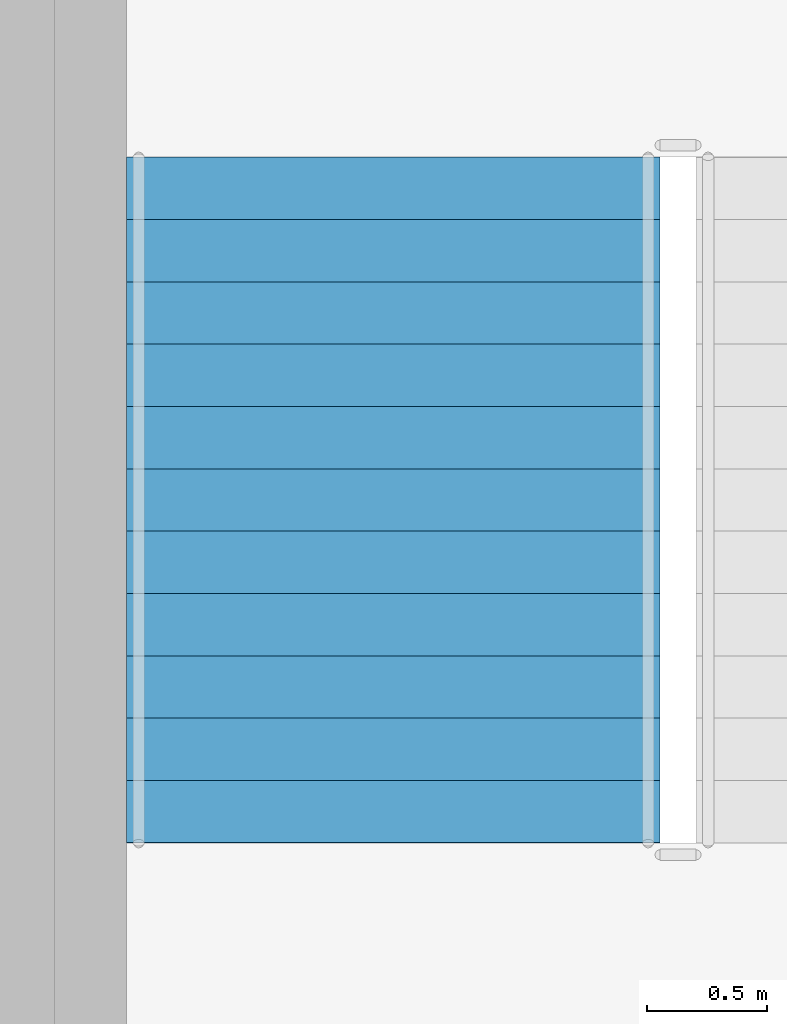
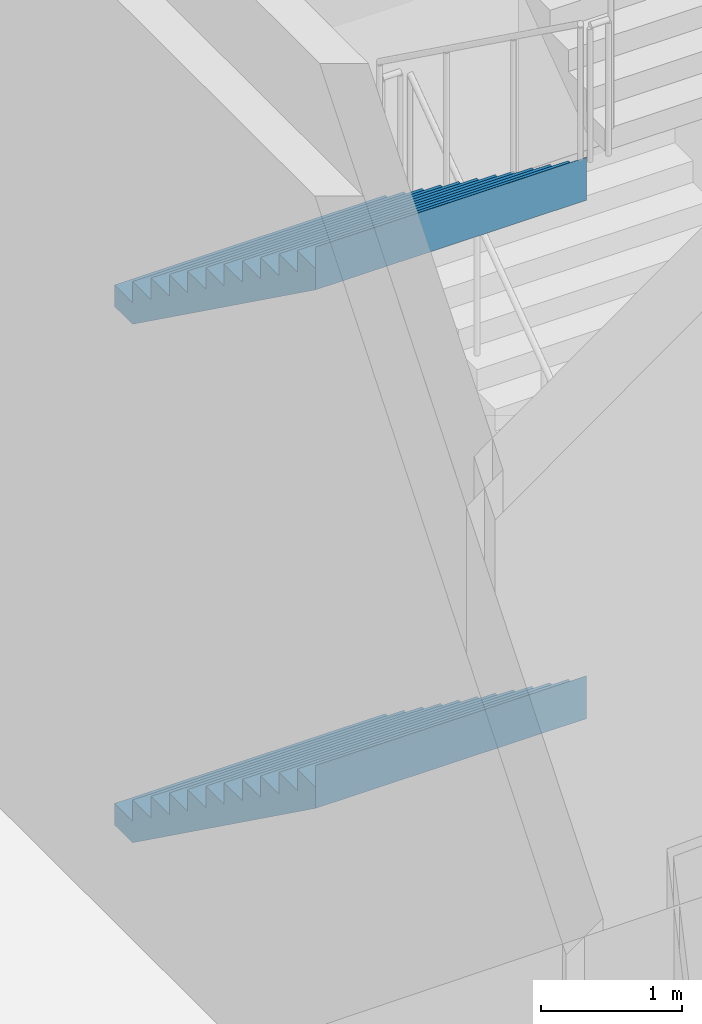
# One storey, part 15 of 35: 2 stair flights, 1 element without a shape of its own.
"""IFC4 building model written with IfcOpenShell, lengths in metres."""

from ifc_helpers import new_model, si_unit, direction, frame, origin, place, context, subcontext, project, spatial, triangles, material, type_object, element, aggregate, save


model = new_model("IFC4")

# Units and contexts
model_context = context("Model", 3, precision=1e-05, world=origin(), true_north=direction((0.0, 1.0)))
body_context = subcontext(model_context, "Body", "Model", "MODEL_VIEW")
ifc_project = project(units=[si_unit("LENGTHUNIT", "METRE"), si_unit("AREAUNIT", "SQUARE_METRE"), si_unit("VOLUMEUNIT", "CUBIC_METRE"), si_unit("PLANEANGLEUNIT", "RADIAN"), si_unit("MASSUNIT", "GRAM", prefix="KILO")], contexts=[model_context])

# Site, building, storey
site_placement = place(None, origin())
site = spatial("IfcSite", under=ifc_project, at=site_placement, CompositionType="ELEMENT")
building_placement = place(site_placement, origin())
building = spatial("IfcBuilding", under=site, at=building_placement, Name="Sahrelin Media Tower", CompositionType="ELEMENT")
storey_placement = place(building_placement, frame((0.0, 0.0, 17.0)))
storey = spatial("IfcBuildingStorey", under=building, at=storey_placement, Name="L02", CompositionType="ELEMENT", Elevation=17.0)

# Stair, stair flights
ifc_material = material(Name="Concrete C40/50", Category="concrete")
stair_type = type_object("IfcStairType", Name="Podium stair 2225", PredefinedType="HALF_TURN_STAIR", material=ifc_material)
stair_placement = place(storey_placement, origin())
stair = element("IfcStair", 1, at=stair_placement, inside=storey, type_object=stair_type, Name="L02 Podium stair PS3", PredefinedType="HALF_TURN_STAIR")
stair_flight_type = type_object("IfcStairFlightType", Name="Stair flight 2225", PredefinedType="STRAIGHT", material=ifc_material)
stair_flight_1_placement = place(storey_placement, frame((-11.83740234375, -30.625, 0.0), z_axis=(0.0, 0.0, 1.0), x_axis=(0.0, -1.0, 0.0)))
stair_flight_1 = element("IfcStairFlight", 2, at=stair_flight_1_placement, type_object=stair_flight_type, Name="PS3 flight 1", NumberOfRisers=12, NumberOfTreads=11, PredefinedType="STRAIGHT", RiserHeight=0.1875, TreadLength=0.26, context=body_context, shape_type="Tessellation", body=[
    triangles([(0.25634765625, 1.112548828125, 0.0), (0.25634765625, 0.794677734375, 0.0), (0.25634765625, 0.476806640625, 0.0), (0.25634765625, 0.158935546875, 0.0), (0.25634765625, -0.158935546875, 0.0), (0.25634765625, -0.476806640625, 0.0), (0.25634765625, -0.794677734375, 0.0), (0.25634765625, -1.112548828125, 0.0), (2.860107421875, 1.112548828125, 1.877685546875), (2.860107421875, 0.794677734375, 1.877685546875), (2.860107421875, 0.476806640625, 1.877685546875), (2.860107421875, 0.158935546875, 1.877685546875), (2.860107421875, -0.158935546875, 1.877685546875), (2.860107421875, -0.476806640625, 1.877685546875), (2.860107421875, -0.794677734375, 1.877685546875), (2.860107421875, -1.112548828125, 1.877685546875), (2.860107421875, 1.112548828125, 2.25), (2.860107421875, 0.794677734375, 2.25), (2.860107421875, 0.476806640625, 2.25), (2.860107421875, 0.158935546875, 2.25), (2.860107421875, -0.158935546875, 2.25), (2.860107421875, -0.476806640625, 2.25), (2.860107421875, -0.794677734375, 2.25), (2.860107421875, -1.112548828125, 2.25), (2.85791015625, 1.112548828125, 2.25), (2.85791015625, 0.794677734375, 2.25), (2.85791015625, 0.476806640625, 2.25), (2.85791015625, 0.158935546875, 2.25), (2.85791015625, -0.158935546875, 2.25), (2.85791015625, -0.476806640625, 2.25), (2.85791015625, -0.794677734375, 2.25), (2.85791015625, -1.112548828125, 2.25), (2.85791015625, 1.112548828125, 2.0625), (2.85791015625, 0.794677734375, 2.0625), (2.85791015625, 0.476806640625, 2.0625), (2.85791015625, 0.158935546875, 2.0625), (2.85791015625, -0.158935546875, 2.0625), (2.85791015625, -0.476806640625, 2.0625), (2.85791015625, -0.794677734375, 2.0625), (2.85791015625, -1.112548828125, 2.0625), (2.60009765625, 1.112548828125, 2.0625), (2.60009765625, 0.794677734375, 2.0625), (2.60009765625, 0.476806640625, 2.0625), (2.60009765625, 0.158935546875, 2.0625), (2.60009765625, -0.158935546875, 2.0625), (2.60009765625, -0.476806640625, 2.0625), (2.60009765625, -0.794677734375, 2.0625), (2.60009765625, -1.112548828125, 2.0625), (2.60009765625, 1.112548828125, 1.875), (2.60009765625, 0.794677734375, 1.875), (2.60009765625, 0.476806640625, 1.875), (2.60009765625, 0.158935546875, 1.875), (2.60009765625, -0.158935546875, 1.875), (2.60009765625, -0.476806640625, 1.875), (2.60009765625, -0.794677734375, 1.875), (2.60009765625, -1.112548828125, 1.875), (2.340087890625, 1.112548828125, 1.875), (2.340087890625, 0.794677734375, 1.875), (2.340087890625, 0.476806640625, 1.875), (2.340087890625, 0.158935546875, 1.875), (2.340087890625, -0.158935546875, 1.875), (2.340087890625, -0.476806640625, 1.875), (2.340087890625, -0.794677734375, 1.875), (2.340087890625, -1.112548828125, 1.875), (2.340087890625, 1.112548828125, 1.6875), (2.340087890625, 0.794677734375, 1.6875), (2.340087890625, 0.476806640625, 1.6875), (2.340087890625, 0.158935546875, 1.6875), (2.340087890625, -0.158935546875, 1.6875), (2.340087890625, -0.476806640625, 1.6875), (2.340087890625, -0.794677734375, 1.6875), (2.340087890625, -1.112548828125, 1.6875), (2.080078125, 1.112548828125, 1.6875), (2.080078125, 0.794677734375, 1.6875), (2.080078125, 0.476806640625, 1.6875), (2.080078125, 0.158935546875, 1.6875), (2.080078125, -0.158935546875, 1.6875), (2.080078125, -0.476806640625, 1.6875), (2.080078125, -0.794677734375, 1.6875), (2.080078125, -1.112548828125, 1.6875), (2.080078125, 1.112548828125, 1.5), (2.080078125, 0.794677734375, 1.5), (2.080078125, 0.476806640625, 1.5), (2.080078125, 0.158935546875, 1.5), (2.080078125, -0.158935546875, 1.5), (2.080078125, -0.476806640625, 1.5), (2.080078125, -0.794677734375, 1.5), (2.080078125, -1.112548828125, 1.5), (1.820068359375, 1.112548828125, 1.5), (1.820068359375, 0.794677734375, 1.5), (1.820068359375, 0.476806640625, 1.5), (1.820068359375, 0.158935546875, 1.5), (1.820068359375, -0.158935546875, 1.5), (1.820068359375, -0.476806640625, 1.5), (1.820068359375, -0.794677734375, 1.5), (1.820068359375, -1.112548828125, 1.5), (1.820068359375, 1.112548828125, 1.3125), (1.820068359375, 0.794677734375, 1.3125), (1.820068359375, 0.476806640625, 1.3125), (1.820068359375, 0.158935546875, 1.3125), (1.820068359375, -0.158935546875, 1.3125), (1.820068359375, -0.476806640625, 1.3125), (1.820068359375, -0.794677734375, 1.3125), (1.820068359375, -1.112548828125, 1.3125), (1.56005859375, 1.112548828125, 1.3125), (1.56005859375, 0.794677734375, 1.3125), (1.56005859375, 0.476806640625, 1.3125), (1.56005859375, 0.158935546875, 1.3125), (1.56005859375, -0.158935546875, 1.3125), (1.56005859375, -0.476806640625, 1.3125), (1.56005859375, -0.794677734375, 1.3125), (1.56005859375, -1.112548828125, 1.3125), (1.56005859375, 1.112548828125, 1.125), (1.56005859375, 0.794677734375, 1.125), (1.56005859375, 0.476806640625, 1.125), (1.56005859375, 0.158935546875, 1.125), (1.56005859375, -0.158935546875, 1.125), (1.56005859375, -0.476806640625, 1.125), (1.56005859375, -0.794677734375, 1.125), (1.56005859375, -1.112548828125, 1.125), (1.300048828125, 1.112548828125, 1.125), (1.300048828125, 0.794677734375, 1.125), (1.300048828125, 0.476806640625, 1.125), (1.300048828125, 0.158935546875, 1.125), (1.300048828125, -0.158935546875, 1.125), (1.300048828125, -0.476806640625, 1.125), (1.300048828125, -0.794677734375, 1.125), (1.300048828125, -1.112548828125, 1.125), (1.300048828125, 1.112548828125, 0.9375), (1.300048828125, 0.794677734375, 0.9375), (1.300048828125, 0.476806640625, 0.9375), (1.300048828125, 0.158935546875, 0.9375), (1.300048828125, -0.158935546875, 0.9375), (1.300048828125, -0.476806640625, 0.9375), (1.300048828125, -0.794677734375, 0.9375), (1.300048828125, -1.112548828125, 0.9375), (1.0400390625, 1.112548828125, 0.9375), (1.0400390625, 0.794677734375, 0.9375), (1.0400390625, 0.476806640625, 0.9375), (1.0400390625, 0.158935546875, 0.9375), (1.0400390625, -0.158935546875, 0.9375), (1.0400390625, -0.476806640625, 0.9375), (1.0400390625, -0.794677734375, 0.9375), (1.0400390625, -1.112548828125, 0.9375), (1.0400390625, 1.112548828125, 0.75), (1.0400390625, 0.794677734375, 0.75), (1.0400390625, 0.476806640625, 0.75), (1.0400390625, 0.158935546875, 0.75), (1.0400390625, -0.158935546875, 0.75), (1.0400390625, -0.476806640625, 0.75), (1.0400390625, -0.794677734375, 0.75), (1.0400390625, -1.112548828125, 0.75), (0.780029296875, 1.112548828125, 0.75), (0.780029296875, 0.794677734375, 0.75), (0.780029296875, 0.476806640625, 0.75), (0.780029296875, 0.158935546875, 0.75), (0.780029296875, -0.158935546875, 0.75), (0.780029296875, -0.476806640625, 0.75), (0.780029296875, -0.794677734375, 0.75), (0.780029296875, -1.112548828125, 0.75), (0.780029296875, 1.112548828125, 0.5625), (0.780029296875, 0.794677734375, 0.5625), (0.780029296875, 0.476806640625, 0.5625), (0.780029296875, 0.158935546875, 0.5625), (0.780029296875, -0.158935546875, 0.5625), (0.780029296875, -0.476806640625, 0.5625), (0.780029296875, -0.794677734375, 0.5625), (0.780029296875, -1.112548828125, 0.5625), (0.52001953125, 1.112548828125, 0.5625), (0.52001953125, 0.794677734375, 0.5625), (0.52001953125, 0.476806640625, 0.5625), (0.52001953125, 0.158935546875, 0.5625), (0.52001953125, -0.158935546875, 0.5625), (0.52001953125, -0.476806640625, 0.5625), (0.52001953125, -0.794677734375, 0.5625), (0.52001953125, -1.112548828125, 0.5625), (0.52001953125, 1.112548828125, 0.375), (0.52001953125, 0.794677734375, 0.375), (0.52001953125, 0.476806640625, 0.375), (0.52001953125, 0.158935546875, 0.375), (0.52001953125, -0.158935546875, 0.375), (0.52001953125, -0.476806640625, 0.375), (0.52001953125, -0.794677734375, 0.375), (0.52001953125, -1.112548828125, 0.375), (0.260009765625, 1.112548828125, 0.375), (0.260009765625, 0.794677734375, 0.375), (0.260009765625, 0.476806640625, 0.375), (0.260009765625, 0.158935546875, 0.375), (0.260009765625, -0.158935546875, 0.375), (0.260009765625, -0.476806640625, 0.375), (0.260009765625, -0.794677734375, 0.375), (0.260009765625, -1.112548828125, 0.375), (0.260009765625, 1.112548828125, 0.1875), (0.260009765625, 0.794677734375, 0.1875), (0.260009765625, 0.476806640625, 0.1875), (0.260009765625, 0.158935546875, 0.1875), (0.260009765625, -0.158935546875, 0.1875), (0.260009765625, -0.476806640625, 0.1875), (0.260009765625, -0.794677734375, 0.1875), (0.260009765625, -1.112548828125, 0.1875), (0.0, 1.112548828125, 0.1875), (0.0, 0.794677734375, 0.1875), (0.0, 0.476806640625, 0.1875), (0.0, 0.158935546875, 0.1875), (0.0, -0.158935546875, 0.1875), (0.0, -0.476806640625, 0.1875), (0.0, -0.794677734375, 0.1875), (0.0, -1.112548828125, 0.1875), (0.0, 1.112548828125, 0.0), (0.0, 0.794677734375, 0.0), (0.0, 0.476806640625, 0.0), (0.0, 0.158935546875, 0.0), (0.0, -0.158935546875, 0.0), (0.0, -0.476806640625, 0.0), (0.0, -0.794677734375, 0.0), (0.0, -1.112548828125, 0.0)], [[1, 9, 10], [1, 10, 2], [2, 10, 11], [2, 11, 3], [3, 11, 12], [3, 12, 4], [4, 12, 13], [4, 13, 5], [5, 13, 14], [5, 14, 6], [6, 14, 15], [6, 15, 7], [7, 15, 16], [7, 16, 8], [9, 17, 18], [9, 18, 10], [10, 18, 19], [10, 19, 11], [11, 19, 20], [11, 20, 12], [12, 20, 21], [12, 21, 13], [13, 21, 22], [13, 22, 14], [14, 22, 23], [14, 23, 15], [15, 23, 24], [15, 24, 16], [17, 25, 26], [17, 26, 18], [18, 26, 27], [18, 27, 19], [19, 27, 28], [19, 28, 20], [20, 28, 29], [20, 29, 21], [21, 29, 30], [21, 30, 22], [22, 30, 31], [22, 31, 23], [23, 31, 32], [23, 32, 24], [25, 33, 34], [25, 34, 26], [26, 34, 35], [26, 35, 27], [27, 35, 36], [27, 36, 28], [28, 36, 37], [28, 37, 29], [29, 37, 38], [29, 38, 30], [30, 38, 39], [30, 39, 31], [31, 39, 40], [31, 40, 32], [33, 41, 42], [33, 42, 34], [34, 42, 43], [34, 43, 35], [35, 43, 44], [35, 44, 36], [36, 44, 45], [36, 45, 37], [37, 45, 46], [37, 46, 38], [38, 46, 47], [38, 47, 39], [39, 47, 48], [39, 48, 40], [41, 49, 50], [41, 50, 42], [42, 50, 51], [42, 51, 43], [43, 51, 52], [43, 52, 44], [44, 52, 53], [44, 53, 45], [45, 53, 54], [45, 54, 46], [46, 54, 55], [46, 55, 47], [47, 55, 56], [47, 56, 48], [49, 57, 58], [49, 58, 50], [50, 58, 59], [50, 59, 51], [51, 59, 60], [51, 60, 52], [52, 60, 61], [52, 61, 53], [53, 61, 62], [53, 62, 54], [54, 62, 63], [54, 63, 55], [55, 63, 64], [55, 64, 56], [57, 65, 66], [57, 66, 58], [58, 66, 67], [58, 67, 59], [59, 67, 68], [59, 68, 60], [60, 68, 69], [60, 69, 61], [61, 69, 70], [61, 70, 62], [62, 70, 71], [62, 71, 63], [63, 71, 72], [63, 72, 64], [65, 73, 74], [65, 74, 66], [66, 74, 75], [66, 75, 67], [67, 75, 76], [67, 76, 68], [68, 76, 77], [68, 77, 69], [69, 77, 78], [69, 78, 70], [70, 78, 79], [70, 79, 71], [71, 79, 80], [71, 80, 72], [73, 81, 82], [73, 82, 74], [74, 82, 83], [74, 83, 75], [75, 83, 84], [75, 84, 76], [76, 84, 85], [76, 85, 77], [77, 85, 86], [77, 86, 78], [78, 86, 87], [78, 87, 79], [79, 87, 88], [79, 88, 80], [81, 89, 90], [81, 90, 82], [82, 90, 91], [82, 91, 83], [83, 91, 92], [83, 92, 84], [84, 92, 93], [84, 93, 85], [85, 93, 94], [85, 94, 86], [86, 94, 95], [86, 95, 87], [87, 95, 96], [87, 96, 88], [89, 97, 98], [89, 98, 90], [90, 98, 99], [90, 99, 91], [91, 99, 100], [91, 100, 92], [92, 100, 101], [92, 101, 93], [93, 101, 102], [93, 102, 94], [94, 102, 103], [94, 103, 95], [95, 103, 104], [95, 104, 96], [97, 105, 106], [97, 106, 98], [98, 106, 107], [98, 107, 99], [99, 107, 108], [99, 108, 100], [100, 108, 109], [100, 109, 101], [101, 109, 110], [101, 110, 102], [102, 110, 111], [102, 111, 103], [103, 111, 112], [103, 112, 104], [105, 113, 114], [105, 114, 106], [106, 114, 115], [106, 115, 107], [107, 115, 116], [107, 116, 108], [108, 116, 117], [108, 117, 109], [109, 117, 118], [109, 118, 110], [110, 118, 119], [110, 119, 111], [111, 119, 120], [111, 120, 112], [113, 121, 122], [113, 122, 114], [114, 122, 123], [114, 123, 115], [115, 123, 124], [115, 124, 116], [116, 124, 125], [116, 125, 117], [117, 125, 126], [117, 126, 118], [118, 126, 127], [118, 127, 119], [119, 127, 128], [119, 128, 120], [121, 129, 130], [121, 130, 122], [122, 130, 131], [122, 131, 123], [123, 131, 132], [123, 132, 124], [124, 132, 133], [124, 133, 125], [125, 133, 134], [125, 134, 126], [126, 134, 135], [126, 135, 127], [127, 135, 136], [127, 136, 128], [129, 137, 138], [129, 138, 130], [130, 138, 139], [130, 139, 131], [131, 139, 140], [131, 140, 132], [132, 140, 141], [132, 141, 133], [133, 141, 142], [133, 142, 134], [134, 142, 143], [134, 143, 135], [135, 143, 144], [135, 144, 136], [137, 145, 146], [137, 146, 138], [138, 146, 147], [138, 147, 139], [139, 147, 148], [139, 148, 140], [140, 148, 149], [140, 149, 141], [141, 149, 150], [141, 150, 142], [142, 150, 151], [142, 151, 143], [143, 151, 152], [143, 152, 144], [145, 153, 154], [145, 154, 146], [146, 154, 155], [146, 155, 147], [147, 155, 156], [147, 156, 148], [148, 156, 157], [148, 157, 149], [149, 157, 158], [149, 158, 150], [150, 158, 159], [150, 159, 151], [151, 159, 160], [151, 160, 152], [153, 161, 162], [153, 162, 154], [154, 162, 163], [154, 163, 155], [155, 163, 164], [155, 164, 156], [156, 164, 165], [156, 165, 157], [157, 165, 166], [157, 166, 158], [158, 166, 167], [158, 167, 159], [159, 167, 168], [159, 168, 160], [161, 169, 170], [161, 170, 162], [162, 170, 171], [162, 171, 163], [163, 171, 172], [163, 172, 164], [164, 172, 173], [164, 173, 165], [165, 173, 174], [165, 174, 166], [166, 174, 175], [166, 175, 167], [167, 175, 176], [167, 176, 168], [169, 177, 178], [169, 178, 170], [170, 178, 179], [170, 179, 171], [171, 179, 180], [171, 180, 172], [172, 180, 181], [172, 181, 173], [173, 181, 182], [173, 182, 174], [174, 182, 183], [174, 183, 175], [175, 183, 184], [175, 184, 176], [177, 185, 186], [177, 186, 178], [178, 186, 187], [178, 187, 179], [179, 187, 188], [179, 188, 180], [180, 188, 189], [180, 189, 181], [181, 189, 190], [181, 190, 182], [182, 190, 191], [182, 191, 183], [183, 191, 192], [183, 192, 184], [185, 193, 194], [185, 194, 186], [186, 194, 195], [186, 195, 187], [187, 195, 196], [187, 196, 188], [188, 196, 197], [188, 197, 189], [189, 197, 198], [189, 198, 190], [190, 198, 199], [190, 199, 191], [191, 199, 200], [191, 200, 192], [193, 201, 202], [193, 202, 194], [194, 202, 203], [194, 203, 195], [195, 203, 204], [195, 204, 196], [196, 204, 205], [196, 205, 197], [197, 205, 206], [197, 206, 198], [198, 206, 207], [198, 207, 199], [199, 207, 208], [199, 208, 200], [201, 209, 210], [201, 210, 202], [202, 210, 211], [202, 211, 203], [203, 211, 212], [203, 212, 204], [204, 212, 213], [204, 213, 205], [205, 213, 214], [205, 214, 206], [206, 214, 215], [206, 215, 207], [207, 215, 216], [207, 216, 208], [209, 1, 2], [209, 2, 210], [210, 2, 3], [210, 3, 211], [211, 3, 4], [211, 4, 212], [212, 4, 5], [212, 5, 213], [213, 5, 6], [213, 6, 214], [214, 6, 7], [214, 7, 215], [215, 7, 8], [215, 8, 216], [8, 208, 216], [1, 209, 201], [200, 184, 192], [193, 185, 177], [184, 168, 176], [177, 169, 161], [168, 152, 160], [161, 153, 145], [152, 136, 144], [145, 137, 129], [136, 120, 128], [129, 121, 113], [120, 104, 112], [113, 105, 97], [104, 88, 96], [97, 89, 81], [88, 72, 80], [81, 73, 65], [72, 56, 64], [65, 57, 49], [56, 40, 48], [49, 41, 33], [40, 24, 32], [33, 25, 17], [8, 200, 208], [1, 201, 193], [16, 56, 72], [9, 65, 49], [40, 16, 24], [33, 17, 9], [184, 200, 8], [177, 1, 193], [56, 16, 40], [49, 33, 9], [168, 184, 8], [161, 1, 177], [72, 88, 16], [65, 9, 81], [152, 168, 8], [145, 1, 161], [104, 16, 88], [97, 81, 9], [136, 152, 8], [129, 1, 145], [120, 16, 104], [113, 97, 9], [120, 136, 8], [113, 1, 129], [8, 16, 120], [1, 113, 9]], closed=True),
])
stair_flight_2_placement = place(storey_placement, frame((-11.83740234375, -30.625, 4.5), z_axis=(0.0, 0.0, 1.0), x_axis=(0.0, -1.0, 0.0)))
stair_flight_2 = element("IfcStairFlight", 3, at=stair_flight_2_placement, type_object=stair_flight_type, Name="PS3 flight 3", NumberOfRisers=12, NumberOfTreads=11, PredefinedType="STRAIGHT", RiserHeight=0.1875, TreadLength=0.26, context=body_context, shape_type="Tessellation", body=[
    triangles([(0.25634765625, 1.112548828125, 0.0), (0.25634765625, 0.794677734375, 0.0), (0.25634765625, 0.476806640625, 0.0), (0.25634765625, 0.158935546875, 0.0), (0.25634765625, -0.158935546875, 0.0), (0.25634765625, -0.476806640625, 0.0), (0.25634765625, -0.794677734375, 0.0), (0.25634765625, -1.112548828125, 0.0), (2.860107421875, 1.112548828125, 1.877685546875), (2.860107421875, 0.794677734375, 1.877685546875), (2.860107421875, 0.476806640625, 1.877685546875), (2.860107421875, 0.158935546875, 1.877685546875), (2.860107421875, -0.158935546875, 1.877685546875), (2.860107421875, -0.476806640625, 1.877685546875), (2.860107421875, -0.794677734375, 1.877685546875), (2.860107421875, -1.112548828125, 1.877685546875), (2.860107421875, 1.112548828125, 2.25), (2.860107421875, 0.794677734375, 2.25), (2.860107421875, 0.476806640625, 2.25), (2.860107421875, 0.158935546875, 2.25), (2.860107421875, -0.158935546875, 2.25), (2.860107421875, -0.476806640625, 2.25), (2.860107421875, -0.794677734375, 2.25), (2.860107421875, -1.112548828125, 2.25), (2.85791015625, 1.112548828125, 2.25), (2.85791015625, 0.794677734375, 2.25), (2.85791015625, 0.476806640625, 2.25), (2.85791015625, 0.158935546875, 2.25), (2.85791015625, -0.158935546875, 2.25), (2.85791015625, -0.476806640625, 2.25), (2.85791015625, -0.794677734375, 2.25), (2.85791015625, -1.112548828125, 2.25), (2.85791015625, 1.112548828125, 2.0625), (2.85791015625, 0.794677734375, 2.0625), (2.85791015625, 0.476806640625, 2.0625), (2.85791015625, 0.158935546875, 2.0625), (2.85791015625, -0.158935546875, 2.0625), (2.85791015625, -0.476806640625, 2.0625), (2.85791015625, -0.794677734375, 2.0625), (2.85791015625, -1.112548828125, 2.0625), (2.60009765625, 1.112548828125, 2.0625), (2.60009765625, 0.794677734375, 2.0625), (2.60009765625, 0.476806640625, 2.0625), (2.60009765625, 0.158935546875, 2.0625), (2.60009765625, -0.158935546875, 2.0625), (2.60009765625, -0.476806640625, 2.0625), (2.60009765625, -0.794677734375, 2.0625), (2.60009765625, -1.112548828125, 2.0625), (2.60009765625, 1.112548828125, 1.875), (2.60009765625, 0.794677734375, 1.875), (2.60009765625, 0.476806640625, 1.875), (2.60009765625, 0.158935546875, 1.875), (2.60009765625, -0.158935546875, 1.875), (2.60009765625, -0.476806640625, 1.875), (2.60009765625, -0.794677734375, 1.875), (2.60009765625, -1.112548828125, 1.875), (2.340087890625, 1.112548828125, 1.875), (2.340087890625, 0.794677734375, 1.875), (2.340087890625, 0.476806640625, 1.875), (2.340087890625, 0.158935546875, 1.875), (2.340087890625, -0.158935546875, 1.875), (2.340087890625, -0.476806640625, 1.875), (2.340087890625, -0.794677734375, 1.875), (2.340087890625, -1.112548828125, 1.875), (2.340087890625, 1.112548828125, 1.6875), (2.340087890625, 0.794677734375, 1.6875), (2.340087890625, 0.476806640625, 1.6875), (2.340087890625, 0.158935546875, 1.6875), (2.340087890625, -0.158935546875, 1.6875), (2.340087890625, -0.476806640625, 1.6875), (2.340087890625, -0.794677734375, 1.6875), (2.340087890625, -1.112548828125, 1.6875), (2.080078125, 1.112548828125, 1.6875), (2.080078125, 0.794677734375, 1.6875), (2.080078125, 0.476806640625, 1.6875), (2.080078125, 0.158935546875, 1.6875), (2.080078125, -0.158935546875, 1.6875), (2.080078125, -0.476806640625, 1.6875), (2.080078125, -0.794677734375, 1.6875), (2.080078125, -1.112548828125, 1.6875), (2.080078125, 1.112548828125, 1.5), (2.080078125, 0.794677734375, 1.5), (2.080078125, 0.476806640625, 1.5), (2.080078125, 0.158935546875, 1.5), (2.080078125, -0.158935546875, 1.5), (2.080078125, -0.476806640625, 1.5), (2.080078125, -0.794677734375, 1.5), (2.080078125, -1.112548828125, 1.5), (1.820068359375, 1.112548828125, 1.5), (1.820068359375, 0.794677734375, 1.5), (1.820068359375, 0.476806640625, 1.5), (1.820068359375, 0.158935546875, 1.5), (1.820068359375, -0.158935546875, 1.5), (1.820068359375, -0.476806640625, 1.5), (1.820068359375, -0.794677734375, 1.5), (1.820068359375, -1.112548828125, 1.5), (1.820068359375, 1.112548828125, 1.3125), (1.820068359375, 0.794677734375, 1.3125), (1.820068359375, 0.476806640625, 1.3125), (1.820068359375, 0.158935546875, 1.3125), (1.820068359375, -0.158935546875, 1.3125), (1.820068359375, -0.476806640625, 1.3125), (1.820068359375, -0.794677734375, 1.3125), (1.820068359375, -1.112548828125, 1.3125), (1.56005859375, 1.112548828125, 1.3125), (1.56005859375, 0.794677734375, 1.3125), (1.56005859375, 0.476806640625, 1.3125), (1.56005859375, 0.158935546875, 1.3125), (1.56005859375, -0.158935546875, 1.3125), (1.56005859375, -0.476806640625, 1.3125), (1.56005859375, -0.794677734375, 1.3125), (1.56005859375, -1.112548828125, 1.3125), (1.56005859375, 1.112548828125, 1.125), (1.56005859375, 0.794677734375, 1.125), (1.56005859375, 0.476806640625, 1.125), (1.56005859375, 0.158935546875, 1.125), (1.56005859375, -0.158935546875, 1.125), (1.56005859375, -0.476806640625, 1.125), (1.56005859375, -0.794677734375, 1.125), (1.56005859375, -1.112548828125, 1.125), (1.300048828125, 1.112548828125, 1.125), (1.300048828125, 0.794677734375, 1.125), (1.300048828125, 0.476806640625, 1.125), (1.300048828125, 0.158935546875, 1.125), (1.300048828125, -0.158935546875, 1.125), (1.300048828125, -0.476806640625, 1.125), (1.300048828125, -0.794677734375, 1.125), (1.300048828125, -1.112548828125, 1.125), (1.300048828125, 1.112548828125, 0.9375), (1.300048828125, 0.794677734375, 0.9375), (1.300048828125, 0.476806640625, 0.9375), (1.300048828125, 0.158935546875, 0.9375), (1.300048828125, -0.158935546875, 0.9375), (1.300048828125, -0.476806640625, 0.9375), (1.300048828125, -0.794677734375, 0.9375), (1.300048828125, -1.112548828125, 0.9375), (1.0400390625, 1.112548828125, 0.9375), (1.0400390625, 0.794677734375, 0.9375), (1.0400390625, 0.476806640625, 0.9375), (1.0400390625, 0.158935546875, 0.9375), (1.0400390625, -0.158935546875, 0.9375), (1.0400390625, -0.476806640625, 0.9375), (1.0400390625, -0.794677734375, 0.9375), (1.0400390625, -1.112548828125, 0.9375), (1.0400390625, 1.112548828125, 0.75), (1.0400390625, 0.794677734375, 0.75), (1.0400390625, 0.476806640625, 0.75), (1.0400390625, 0.158935546875, 0.75), (1.0400390625, -0.158935546875, 0.75), (1.0400390625, -0.476806640625, 0.75), (1.0400390625, -0.794677734375, 0.75), (1.0400390625, -1.112548828125, 0.75), (0.780029296875, 1.112548828125, 0.75), (0.780029296875, 0.794677734375, 0.75), (0.780029296875, 0.476806640625, 0.75), (0.780029296875, 0.158935546875, 0.75), (0.780029296875, -0.158935546875, 0.75), (0.780029296875, -0.476806640625, 0.75), (0.780029296875, -0.794677734375, 0.75), (0.780029296875, -1.112548828125, 0.75), (0.780029296875, 1.112548828125, 0.5625), (0.780029296875, 0.794677734375, 0.5625), (0.780029296875, 0.476806640625, 0.5625), (0.780029296875, 0.158935546875, 0.5625), (0.780029296875, -0.158935546875, 0.5625), (0.780029296875, -0.476806640625, 0.5625), (0.780029296875, -0.794677734375, 0.5625), (0.780029296875, -1.112548828125, 0.5625), (0.52001953125, 1.112548828125, 0.5625), (0.52001953125, 0.794677734375, 0.5625), (0.52001953125, 0.476806640625, 0.5625), (0.52001953125, 0.158935546875, 0.5625), (0.52001953125, -0.158935546875, 0.5625), (0.52001953125, -0.476806640625, 0.5625), (0.52001953125, -0.794677734375, 0.5625), (0.52001953125, -1.112548828125, 0.5625), (0.52001953125, 1.112548828125, 0.375), (0.52001953125, 0.794677734375, 0.375), (0.52001953125, 0.476806640625, 0.375), (0.52001953125, 0.158935546875, 0.375), (0.52001953125, -0.158935546875, 0.375), (0.52001953125, -0.476806640625, 0.375), (0.52001953125, -0.794677734375, 0.375), (0.52001953125, -1.112548828125, 0.375), (0.260009765625, 1.112548828125, 0.375), (0.260009765625, 0.794677734375, 0.375), (0.260009765625, 0.476806640625, 0.375), (0.260009765625, 0.158935546875, 0.375), (0.260009765625, -0.158935546875, 0.375), (0.260009765625, -0.476806640625, 0.375), (0.260009765625, -0.794677734375, 0.375), (0.260009765625, -1.112548828125, 0.375), (0.260009765625, 1.112548828125, 0.1875), (0.260009765625, 0.794677734375, 0.1875), (0.260009765625, 0.476806640625, 0.1875), (0.260009765625, 0.158935546875, 0.1875), (0.260009765625, -0.158935546875, 0.1875), (0.260009765625, -0.476806640625, 0.1875), (0.260009765625, -0.794677734375, 0.1875), (0.260009765625, -1.112548828125, 0.1875), (0.0, 1.112548828125, 0.1875), (0.0, 0.794677734375, 0.1875), (0.0, 0.476806640625, 0.1875), (0.0, 0.158935546875, 0.1875), (0.0, -0.158935546875, 0.1875), (0.0, -0.476806640625, 0.1875), (0.0, -0.794677734375, 0.1875), (0.0, -1.112548828125, 0.1875), (0.0, 1.112548828125, 0.0), (0.0, 0.794677734375, 0.0), (0.0, 0.476806640625, 0.0), (0.0, 0.158935546875, 0.0), (0.0, -0.158935546875, 0.0), (0.0, -0.476806640625, 0.0), (0.0, -0.794677734375, 0.0), (0.0, -1.112548828125, 0.0)], [[1, 9, 10], [1, 10, 2], [2, 10, 11], [2, 11, 3], [3, 11, 12], [3, 12, 4], [4, 12, 13], [4, 13, 5], [5, 13, 14], [5, 14, 6], [6, 14, 15], [6, 15, 7], [7, 15, 16], [7, 16, 8], [9, 17, 18], [9, 18, 10], [10, 18, 19], [10, 19, 11], [11, 19, 20], [11, 20, 12], [12, 20, 21], [12, 21, 13], [13, 21, 22], [13, 22, 14], [14, 22, 23], [14, 23, 15], [15, 23, 24], [15, 24, 16], [17, 25, 26], [17, 26, 18], [18, 26, 27], [18, 27, 19], [19, 27, 28], [19, 28, 20], [20, 28, 29], [20, 29, 21], [21, 29, 30], [21, 30, 22], [22, 30, 31], [22, 31, 23], [23, 31, 32], [23, 32, 24], [25, 33, 34], [25, 34, 26], [26, 34, 35], [26, 35, 27], [27, 35, 36], [27, 36, 28], [28, 36, 37], [28, 37, 29], [29, 37, 38], [29, 38, 30], [30, 38, 39], [30, 39, 31], [31, 39, 40], [31, 40, 32], [33, 41, 42], [33, 42, 34], [34, 42, 43], [34, 43, 35], [35, 43, 44], [35, 44, 36], [36, 44, 45], [36, 45, 37], [37, 45, 46], [37, 46, 38], [38, 46, 47], [38, 47, 39], [39, 47, 48], [39, 48, 40], [41, 49, 50], [41, 50, 42], [42, 50, 51], [42, 51, 43], [43, 51, 52], [43, 52, 44], [44, 52, 53], [44, 53, 45], [45, 53, 54], [45, 54, 46], [46, 54, 55], [46, 55, 47], [47, 55, 56], [47, 56, 48], [49, 57, 58], [49, 58, 50], [50, 58, 59], [50, 59, 51], [51, 59, 60], [51, 60, 52], [52, 60, 61], [52, 61, 53], [53, 61, 62], [53, 62, 54], [54, 62, 63], [54, 63, 55], [55, 63, 64], [55, 64, 56], [57, 65, 66], [57, 66, 58], [58, 66, 67], [58, 67, 59], [59, 67, 68], [59, 68, 60], [60, 68, 69], [60, 69, 61], [61, 69, 70], [61, 70, 62], [62, 70, 71], [62, 71, 63], [63, 71, 72], [63, 72, 64], [65, 73, 74], [65, 74, 66], [66, 74, 75], [66, 75, 67], [67, 75, 76], [67, 76, 68], [68, 76, 77], [68, 77, 69], [69, 77, 78], [69, 78, 70], [70, 78, 79], [70, 79, 71], [71, 79, 80], [71, 80, 72], [73, 81, 82], [73, 82, 74], [74, 82, 83], [74, 83, 75], [75, 83, 84], [75, 84, 76], [76, 84, 85], [76, 85, 77], [77, 85, 86], [77, 86, 78], [78, 86, 87], [78, 87, 79], [79, 87, 88], [79, 88, 80], [81, 89, 90], [81, 90, 82], [82, 90, 91], [82, 91, 83], [83, 91, 92], [83, 92, 84], [84, 92, 93], [84, 93, 85], [85, 93, 94], [85, 94, 86], [86, 94, 95], [86, 95, 87], [87, 95, 96], [87, 96, 88], [89, 97, 98], [89, 98, 90], [90, 98, 99], [90, 99, 91], [91, 99, 100], [91, 100, 92], [92, 100, 101], [92, 101, 93], [93, 101, 102], [93, 102, 94], [94, 102, 103], [94, 103, 95], [95, 103, 104], [95, 104, 96], [97, 105, 106], [97, 106, 98], [98, 106, 107], [98, 107, 99], [99, 107, 108], [99, 108, 100], [100, 108, 109], [100, 109, 101], [101, 109, 110], [101, 110, 102], [102, 110, 111], [102, 111, 103], [103, 111, 112], [103, 112, 104], [105, 113, 114], [105, 114, 106], [106, 114, 115], [106, 115, 107], [107, 115, 116], [107, 116, 108], [108, 116, 117], [108, 117, 109], [109, 117, 118], [109, 118, 110], [110, 118, 119], [110, 119, 111], [111, 119, 120], [111, 120, 112], [113, 121, 122], [113, 122, 114], [114, 122, 123], [114, 123, 115], [115, 123, 124], [115, 124, 116], [116, 124, 125], [116, 125, 117], [117, 125, 126], [117, 126, 118], [118, 126, 127], [118, 127, 119], [119, 127, 128], [119, 128, 120], [121, 129, 130], [121, 130, 122], [122, 130, 131], [122, 131, 123], [123, 131, 132], [123, 132, 124], [124, 132, 133], [124, 133, 125], [125, 133, 134], [125, 134, 126], [126, 134, 135], [126, 135, 127], [127, 135, 136], [127, 136, 128], [129, 137, 138], [129, 138, 130], [130, 138, 139], [130, 139, 131], [131, 139, 140], [131, 140, 132], [132, 140, 141], [132, 141, 133], [133, 141, 142], [133, 142, 134], [134, 142, 143], [134, 143, 135], [135, 143, 144], [135, 144, 136], [137, 145, 146], [137, 146, 138], [138, 146, 147], [138, 147, 139], [139, 147, 148], [139, 148, 140], [140, 148, 149], [140, 149, 141], [141, 149, 150], [141, 150, 142], [142, 150, 151], [142, 151, 143], [143, 151, 152], [143, 152, 144], [145, 153, 154], [145, 154, 146], [146, 154, 155], [146, 155, 147], [147, 155, 156], [147, 156, 148], [148, 156, 157], [148, 157, 149], [149, 157, 158], [149, 158, 150], [150, 158, 159], [150, 159, 151], [151, 159, 160], [151, 160, 152], [153, 161, 162], [153, 162, 154], [154, 162, 163], [154, 163, 155], [155, 163, 164], [155, 164, 156], [156, 164, 165], [156, 165, 157], [157, 165, 166], [157, 166, 158], [158, 166, 167], [158, 167, 159], [159, 167, 168], [159, 168, 160], [161, 169, 170], [161, 170, 162], [162, 170, 171], [162, 171, 163], [163, 171, 172], [163, 172, 164], [164, 172, 173], [164, 173, 165], [165, 173, 174], [165, 174, 166], [166, 174, 175], [166, 175, 167], [167, 175, 176], [167, 176, 168], [169, 177, 178], [169, 178, 170], [170, 178, 179], [170, 179, 171], [171, 179, 180], [171, 180, 172], [172, 180, 181], [172, 181, 173], [173, 181, 182], [173, 182, 174], [174, 182, 183], [174, 183, 175], [175, 183, 184], [175, 184, 176], [177, 185, 186], [177, 186, 178], [178, 186, 187], [178, 187, 179], [179, 187, 188], [179, 188, 180], [180, 188, 189], [180, 189, 181], [181, 189, 190], [181, 190, 182], [182, 190, 191], [182, 191, 183], [183, 191, 192], [183, 192, 184], [185, 193, 194], [185, 194, 186], [186, 194, 195], [186, 195, 187], [187, 195, 196], [187, 196, 188], [188, 196, 197], [188, 197, 189], [189, 197, 198], [189, 198, 190], [190, 198, 199], [190, 199, 191], [191, 199, 200], [191, 200, 192], [193, 201, 202], [193, 202, 194], [194, 202, 203], [194, 203, 195], [195, 203, 204], [195, 204, 196], [196, 204, 205], [196, 205, 197], [197, 205, 206], [197, 206, 198], [198, 206, 207], [198, 207, 199], [199, 207, 208], [199, 208, 200], [201, 209, 210], [201, 210, 202], [202, 210, 211], [202, 211, 203], [203, 211, 212], [203, 212, 204], [204, 212, 213], [204, 213, 205], [205, 213, 214], [205, 214, 206], [206, 214, 215], [206, 215, 207], [207, 215, 216], [207, 216, 208], [209, 1, 2], [209, 2, 210], [210, 2, 3], [210, 3, 211], [211, 3, 4], [211, 4, 212], [212, 4, 5], [212, 5, 213], [213, 5, 6], [213, 6, 214], [214, 6, 7], [214, 7, 215], [215, 7, 8], [215, 8, 216], [8, 208, 216], [1, 209, 201], [200, 184, 192], [193, 185, 177], [184, 168, 176], [177, 169, 161], [168, 152, 160], [161, 153, 145], [152, 136, 144], [145, 137, 129], [136, 120, 128], [129, 121, 113], [120, 104, 112], [113, 105, 97], [104, 88, 96], [97, 89, 81], [88, 72, 80], [81, 73, 65], [72, 56, 64], [65, 57, 49], [56, 40, 48], [49, 41, 33], [40, 24, 32], [33, 25, 17], [8, 200, 208], [1, 201, 193], [16, 56, 72], [9, 65, 49], [40, 16, 24], [33, 17, 9], [184, 200, 8], [177, 1, 193], [56, 16, 40], [49, 33, 9], [168, 184, 8], [161, 1, 177], [72, 88, 16], [65, 9, 81], [152, 168, 8], [145, 1, 161], [104, 16, 88], [97, 81, 9], [136, 152, 8], [129, 1, 145], [120, 16, 104], [113, 97, 9], [120, 136, 8], [113, 1, 129], [8, 16, 120], [1, 113, 9]], closed=True),
])
aggregate(stair, [stair_flight_1, stair_flight_2])

save(model, "model.ifc")
